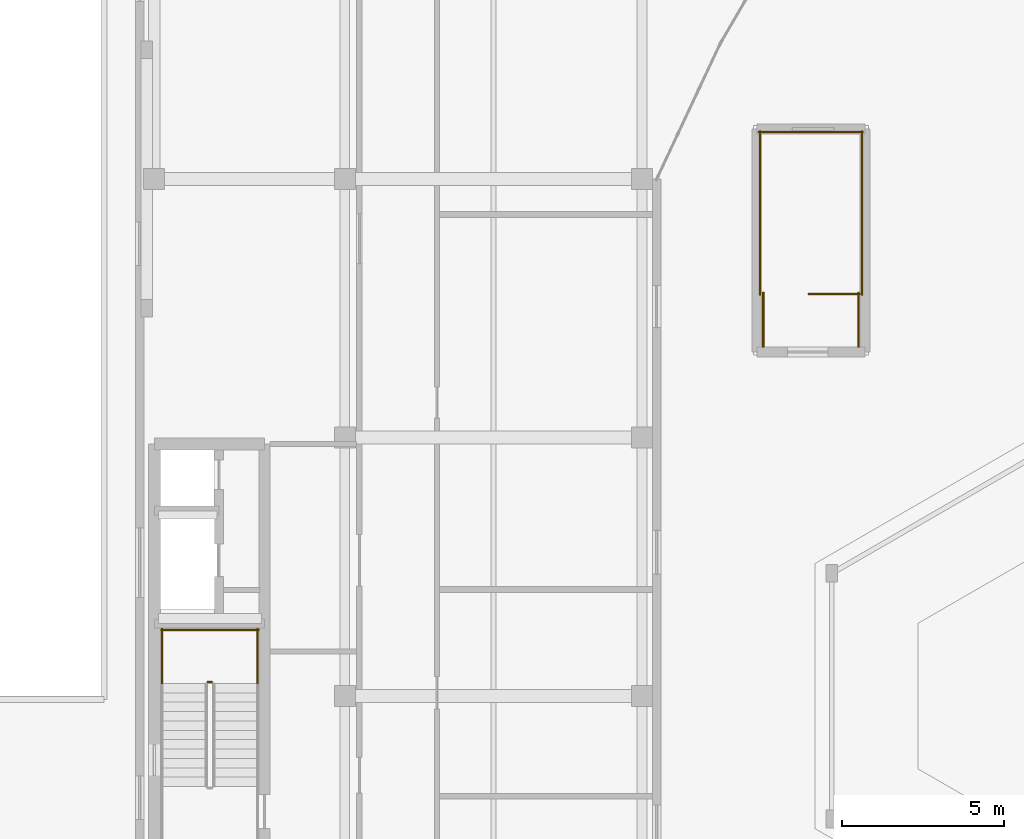
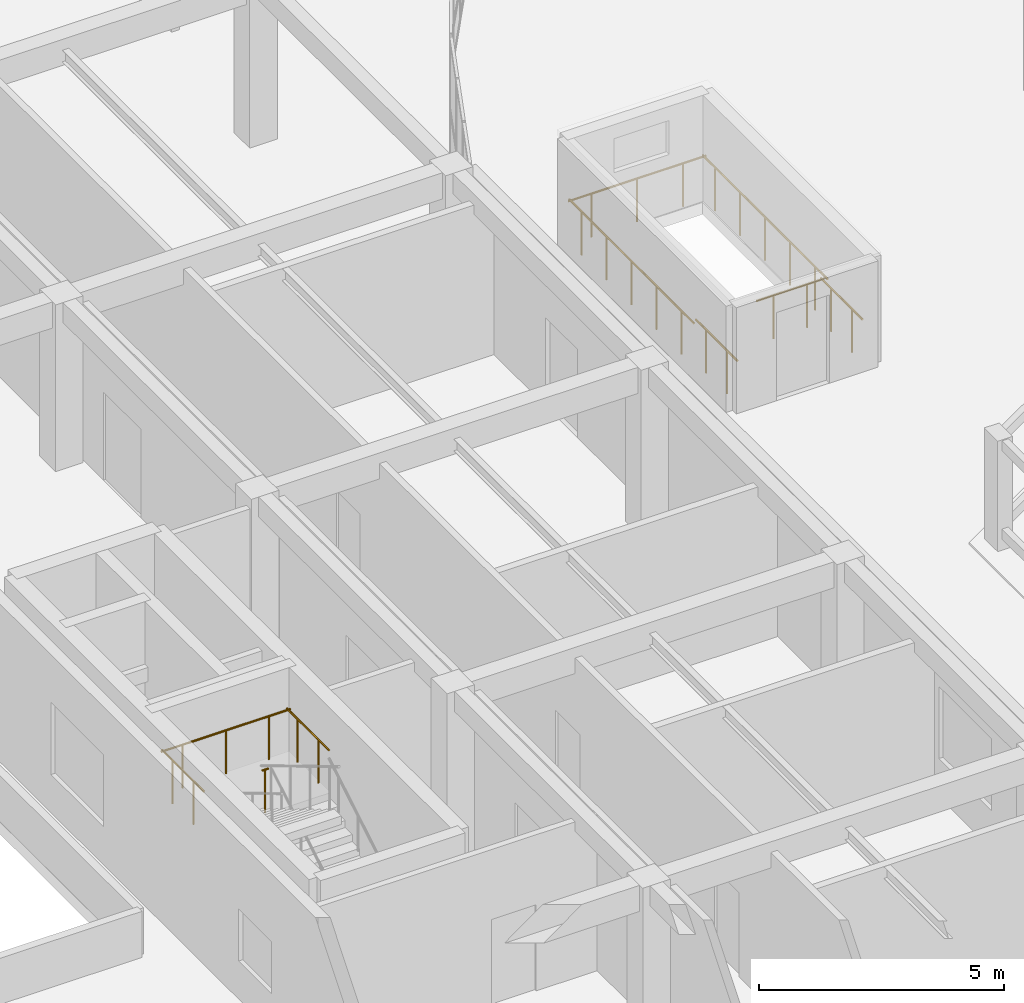
# One storey, part 99 of 114: 10 railings.
"""IFC4 building model written with IfcOpenShell, lengths in metres."""

from ifc_helpers import new_model, si_unit, direction, frame, origin, origin_2d, place, context, subcontext, project, spatial, circle, extrude, material, type_object, element, save


model = new_model("IFC4")

# Units and contexts
model_context = context("Model", 3, precision=1e-05, world=origin(), true_north=direction((0.0, 1.0)))
body_context = subcontext(model_context, "Body", "Model", "MODEL_VIEW")
ifc_project = project(units=[si_unit("LENGTHUNIT", "METRE"), si_unit("AREAUNIT", "SQUARE_METRE"), si_unit("VOLUMEUNIT", "CUBIC_METRE"), si_unit("PLANEANGLEUNIT", "RADIAN"), si_unit("MASSUNIT", "GRAM", prefix="KILO")], contexts=[model_context])

# Site, building, storey
site_placement = place(None, origin())
site = spatial("IfcSite", under=ifc_project, at=site_placement, CompositionType="ELEMENT")
building_placement = place(site_placement, origin())
building = spatial("IfcBuilding", under=site, at=building_placement, Name="Keldmere Railside Commons", CompositionType="ELEMENT")
storey_placement = place(building_placement, origin())
storey = spatial("IfcBuildingStorey", under=building, at=storey_placement, Name="L00", CompositionType="ELEMENT", Elevation=0.0)

# Railings
ifc_material = material(Name="Steel F-24 (S235)", Category="steel")
railing_type = type_object("IfcRailingType", Name="Stair Well Steel Guardrail 1100", PredefinedType="BALUSTRADE", material=ifc_material)
railing_1_placement = place(storey_placement, frame((10.25, 72.43994140625, 2.080078125)))
element("IfcRailing", 1, at=railing_1_placement, inside=storey, type_object=railing_type, Name="L00 ST-D1 stair guard 2", PredefinedType="BALUSTRADE", context=body_context, shape_type="SweptSolid", body=[
    extrude(circle(Radius=0.02392578125, at=origin_2d()), frame((0.0, 0.0, 1.076171875), z_axis=(-1.0, 0.0, 0.0), x_axis=(0.0, -1.0, 0.0)), (0.0, 0.0, 1.0), 0.14990234375),
    extrude(circle(Radius=0.02099609375, at=origin_2d()), frame((-0.074951171875, 0.0, 0.0)), (0.0, 0.0, 1.0), 1.048095703125),
])
for number, where, name in (
    (2, (11.64990234375, 72.389892578125, 2.080078125), "L00 ST-D1 stair guard 3"),
    (3, (8.699951171875, 72.389892578125, 2.080078125), "L00 ST-D1 stair guard 4"),
):
    element("IfcRailing", number, at=place(storey_placement, frame(where)), inside=storey, type_object=railing_type, Name=name, PredefinedType="BALUSTRADE", context=body_context, shape_type="SweptSolid", body=[
        extrude(circle(Radius=0.02392578125, at=origin_2d()), frame((0.0, 0.0, 1.076171875), z_axis=(0.0, 1.0, 0.0), x_axis=(-1.0, 0.0, 0.0)), (0.0, 0.0, 1.0), 1.710205078125),
        extrude(circle(Radius=0.02099609375, at=origin_2d()), frame((0.0, 0.427490234375, 0.0)), (0.0, 0.0, 1.0), 1.048095703125),
        extrude(circle(Radius=0.02099609375, at=origin_2d()), frame((0.0, 1.28271484375, 0.0)), (0.0, 0.0, 1.0), 1.048095703125),
    ])
railing_2_placement = place(storey_placement, frame((11.699951171875, 74.050048828125, 2.080078125)))
element("IfcRailing", 4, at=railing_2_placement, inside=storey, type_object=railing_type, Name="L00 ST-D1 stair guard 5", PredefinedType="BALUSTRADE", context=body_context, shape_type="SweptSolid", body=[
    extrude(circle(Radius=0.02392578125, at=origin_2d()), frame((0.0, 0.0, 1.076171875), z_axis=(-1.0, 0.0, 0.0), x_axis=(0.0, -1.0, 0.0)), (0.0, 0.0, 1.0), 3.050048828125),
    extrude(circle(Radius=0.02099609375, at=origin_2d()), frame((-0.50830078125, 0.0, 0.0)), (0.0, 0.0, 1.0), 1.048095703125),
    extrude(circle(Radius=0.02099609375, at=origin_2d()), frame((-1.52490234375, 0.0, 0.0)), (0.0, 0.0, 1.0), 1.048095703125),
    extrude(circle(Radius=0.02099609375, at=origin_2d()), frame((-2.541748046875, 0.0, 0.0)), (0.0, 0.0, 1.0), 1.048095703125),
])
railing_3_placement = place(storey_placement, frame((30.300048828125, 84.449951171875, 0.0)))
element("IfcRailing", 5, at=railing_3_placement, inside=storey, type_object=railing_type, Name="L00 ST-B1 top well guard 1", PredefinedType="BALUSTRADE", context=body_context, shape_type="SweptSolid", body=[
    extrude(circle(Radius=0.02392578125, at=origin_2d()), frame((0.0, 0.0, 1.076171875), z_axis=(-1.0, 0.0, 0.0), x_axis=(0.0, -1.0, 0.0)), (0.0, 0.0, 1.0), 1.60009765625),
    extrude(circle(Radius=0.02099609375, at=origin_2d()), frame((-0.39990234375, 0.0, 0.0)), (0.0, 0.0, 1.0), 1.048095703125),
    extrude(circle(Radius=0.02099609375, at=origin_2d()), frame((-1.2001953125, 0.0, 0.0)), (0.0, 0.0, 1.0), 1.048095703125),
])
for number, where, name in (
    (6, (30.35009765625, 84.39990234375, 0.0), "L00 ST-B1 top well guard 2"),
    (7, (27.199951171875, 84.39990234375, 0.0), "L00 ST-B1 top well guard 3"),
):
    element("IfcRailing", number, at=place(storey_placement, frame(where)), inside=storey, type_object=railing_type, Name=name, PredefinedType="BALUSTRADE", context=body_context, shape_type="SweptSolid", body=[
        extrude(circle(Radius=0.02392578125, at=origin_2d()), frame((0.0, 0.0, 1.076171875), z_axis=(0.0, 1.0, 0.0), x_axis=(-1.0, 0.0, 0.0)), (0.0, 0.0, 1.0), 5.10009765625),
        extrude(circle(Radius=0.02099609375, at=origin_2d()), frame((0.0, 0.510009765625, 0.0)), (0.0, 0.0, 1.0), 1.048095703125),
        extrude(circle(Radius=0.02099609375, at=origin_2d()), frame((0.0, 1.530029296875, 0.0)), (0.0, 0.0, 1.0), 1.048095703125),
        extrude(circle(Radius=0.02099609375, at=origin_2d()), frame((0.0, 2.550048828125, 0.0)), (0.0, 0.0, 1.0), 1.048095703125),
        extrude(circle(Radius=0.02099609375, at=origin_2d()), frame((0.0, 3.570068359375, 0.0)), (0.0, 0.0, 1.0), 1.048095703125),
        extrude(circle(Radius=0.02099609375, at=origin_2d()), frame((0.0, 4.590087890625, 0.0)), (0.0, 0.0, 1.0), 1.048095703125),
    ])
railing_4_placement = place(storey_placement, frame((30.39990234375, 89.449951171875, 0.0)))
element("IfcRailing", 8, at=railing_4_placement, inside=storey, type_object=railing_type, Name="L00 ST-B1 top well guard 4", PredefinedType="BALUSTRADE", context=body_context, shape_type="SweptSolid", body=[
    extrude(circle(Radius=0.02392578125, at=origin_2d()), frame((0.0, 0.0, 1.076171875), z_axis=(-1.0, 0.0, 0.0), x_axis=(0.0, -1.0, 0.0)), (0.0, 0.0, 1.0), 3.25),
    extrude(circle(Radius=0.02099609375, at=origin_2d()), frame((-0.541748046875, 0.0, 0.0)), (0.0, 0.0, 1.0), 1.048095703125),
    extrude(circle(Radius=0.02099609375, at=origin_2d()), frame((-1.625, 0.0, 0.0)), (0.0, 0.0, 1.0), 1.048095703125),
    extrude(circle(Radius=0.02099609375, at=origin_2d()), frame((-2.708251953125, 0.0, 0.0)), (0.0, 0.0, 1.0), 1.048095703125),
])
for number, where, name in (
    (9, (30.25, 82.800048828125, 0.0), "L00 ST-B1 top well guard 5"),
    (10, (27.300048828125, 82.800048828125, 0.0), "L00 ST-B1 top well guard 6"),
):
    element("IfcRailing", number, at=place(storey_placement, frame(where)), inside=storey, type_object=railing_type, Name=name, PredefinedType="BALUSTRADE", context=body_context, shape_type="SweptSolid", body=[
        extrude(circle(Radius=0.02392578125, at=origin_2d()), frame((0.0, 0.0, 1.076171875), z_axis=(0.0, 1.0, 0.0), x_axis=(-1.0, 0.0, 0.0)), (0.0, 0.0, 1.0), 1.699951171875),
        extrude(circle(Radius=0.02099609375, at=origin_2d()), frame((0.0, 0.425048828125, 0.0)), (0.0, 0.0, 1.0), 1.048095703125),
        extrude(circle(Radius=0.02099609375, at=origin_2d()), frame((0.0, 1.27490234375, 0.0)), (0.0, 0.0, 1.0), 1.048095703125),
    ])

save(model, "model.ifc")
